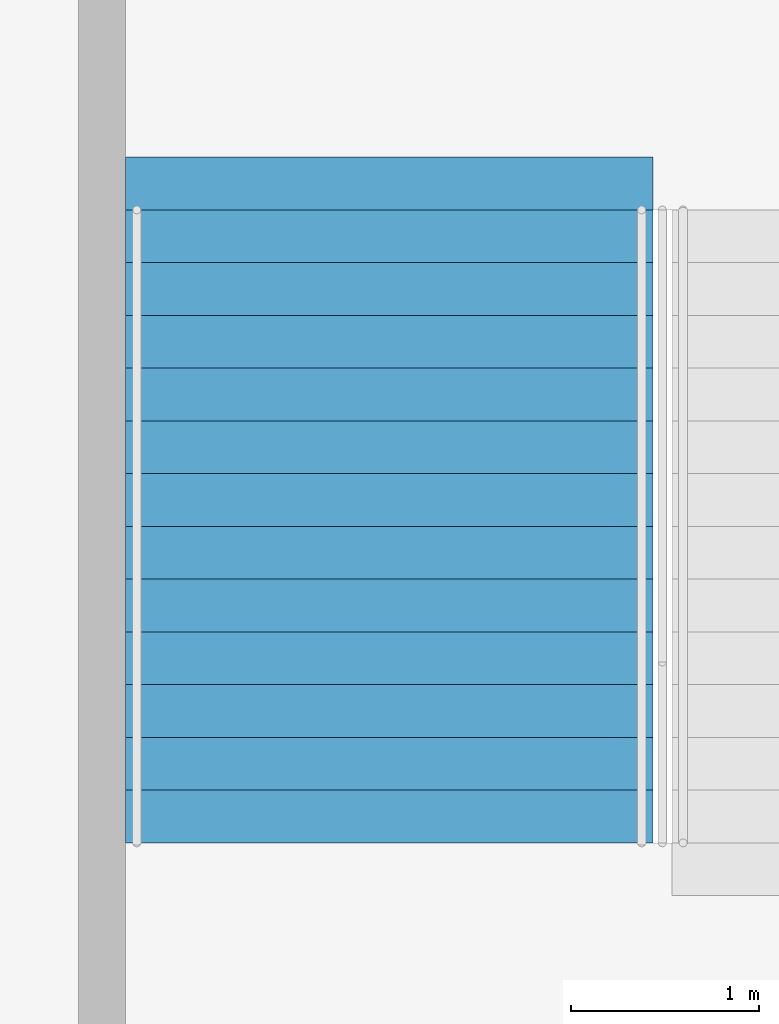
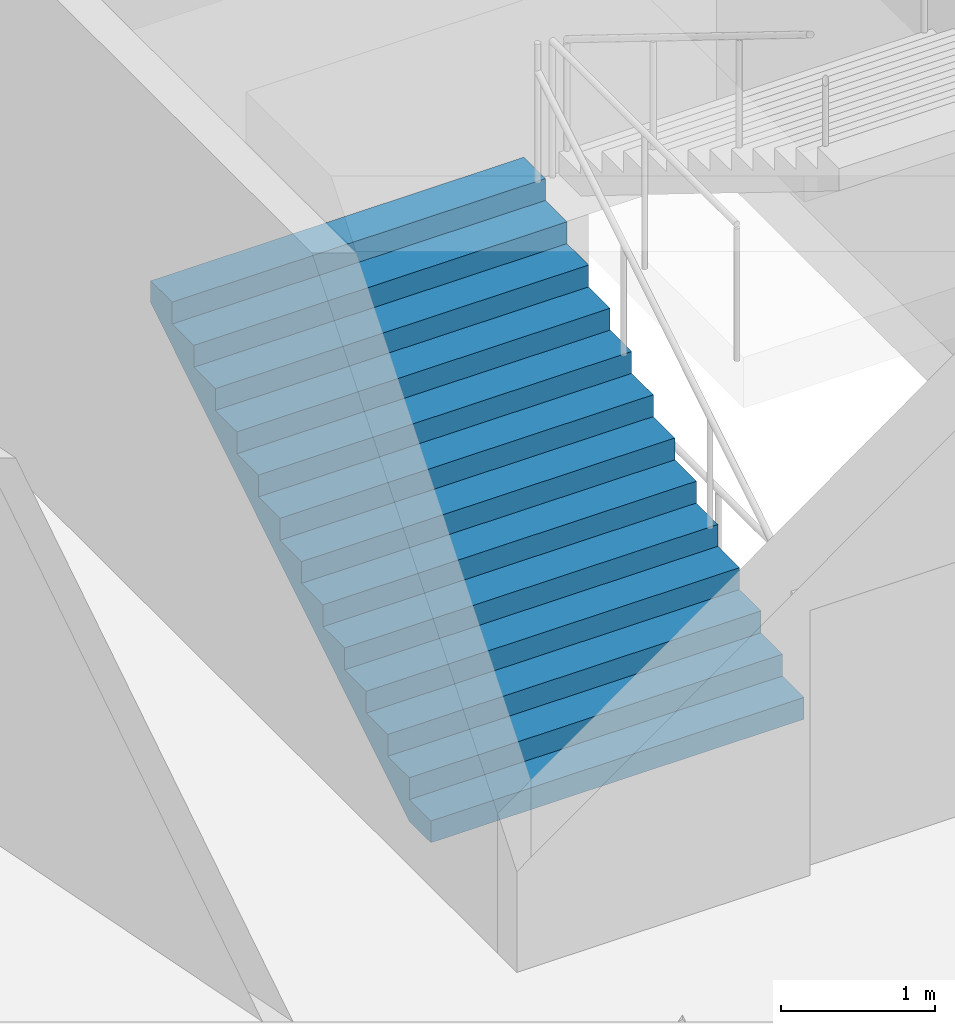
# One storey, part 162 of 199: 1 stair flight, 1 element without a shape of its own.
"""IFC4 building model written with IfcOpenShell, lengths in metres."""

from ifc_helpers import new_model, si_unit, direction, frame, origin, place, context, subcontext, project, spatial, faceted_brep, material, type_object, element, aggregate, save


model = new_model("IFC4")

# Units and contexts
model_context = context("Model", 3, precision=1e-05, world=origin(), true_north=direction((0.0, 1.0)))
body_context = subcontext(model_context, "Body", "Model", "MODEL_VIEW")
ifc_project = project(units=[si_unit("LENGTHUNIT", "METRE"), si_unit("AREAUNIT", "SQUARE_METRE"), si_unit("VOLUMEUNIT", "CUBIC_METRE"), si_unit("PLANEANGLEUNIT", "RADIAN"), si_unit("MASSUNIT", "GRAM", prefix="KILO")], contexts=[model_context])

# Site, building, storey
site_placement = place(None, origin())
site = spatial("IfcSite", under=ifc_project, at=site_placement, CompositionType="ELEMENT")
building_placement = place(site_placement, origin())
building = spatial("IfcBuilding", under=site, at=building_placement, Name="Ogive Plaza Stadium", CompositionType="ELEMENT")
storey_placement = place(building_placement, frame((0.0, 0.0, 4.5)))
storey = spatial("IfcBuildingStorey", under=building, at=storey_placement, Name="L01", CompositionType="ELEMENT", Elevation=4.5)

# Stair, stair flight
ifc_material_1 = material(Name="Concrete C40/50", Category="concrete")
stair_type = type_object("IfcStairType", Name="Exit stair", PredefinedType="STRAIGHT_RUN_STAIR", material=ifc_material_1)
stair_placement = place(storey_placement, origin())
stair = element("IfcStair", 1, at=stair_placement, inside=storey, type_object=stair_type, Name="Exit stair ST32B L01 to L02", PredefinedType="STRAIGHT_RUN_STAIR")
ifc_material_2 = material(Name="Concrete C40/50", Category="concrete")
stair_flight_type = type_object("IfcStairFlightType", Name="Exit stair flight", PredefinedType="STRAIGHT", material=ifc_material_2)
stair_flight_placement = place(storey_placement, frame((-38.425048828125, 94.85009765625, 0.0), z_axis=(0.0, 0.0, 1.0), x_axis=(0.0, 1.0, 0.0)))
stair_flight = element("IfcStairFlight", 2, at=stair_flight_placement, type_object=stair_flight_type, Name="ST32B flight 1", NumberOfRisers=13, NumberOfTreads=12, PredefinedType="STRAIGHT", RiserHeight=0.173076923, TreadLength=0.28, context=body_context, shape_type="Brep", body=[
    faceted_brep([(0.28515625, -1.39990234375, 0.0), (3.639892578125, -1.39990234375, 2.07373046875), (3.639892578125, -1.39990234375, 2.25), (3.360107421875, -1.39990234375, 2.25), (3.360107421875, -1.39990234375, 2.076904296875), (3.080078125, -1.39990234375, 2.076904296875), (3.080078125, -1.39990234375, 1.90380859375), (2.800048828125, -1.39990234375, 1.90380859375), (2.800048828125, -1.39990234375, 1.730712890625), (2.52001953125, -1.39990234375, 1.730712890625), (2.52001953125, -1.39990234375, 1.5576171875), (2.239990234375, -1.39990234375, 1.5576171875), (2.239990234375, -1.39990234375, 1.384521484375), (1.9599609375, -1.39990234375, 1.384521484375), (1.9599609375, -1.39990234375, 1.21142578125), (1.679931640625, -1.39990234375, 1.21142578125), (1.679931640625, -1.39990234375, 1.03857421875), (1.39990234375, -1.39990234375, 1.03857421875), (1.39990234375, -1.39990234375, 0.865478515625), (1.1201171875, -1.39990234375, 0.865478515625), (1.1201171875, -1.39990234375, 0.6923828125), (0.840087890625, -1.39990234375, 0.6923828125), (0.840087890625, -1.39990234375, 0.519287109375), (0.56005859375, -1.39990234375, 0.519287109375), (0.56005859375, -1.39990234375, 0.34619140625), (0.280029296875, -1.39990234375, 0.34619140625), (0.280029296875, -1.39990234375, 0.173095703125), (0.0, -1.39990234375, 0.173095703125), (0.0, -1.39990234375, 0.0), (0.0, 1.39990234375, 0.0), (0.0, 1.39990234375, 0.173095703125), (0.280029296875, 1.39990234375, 0.173095703125), (0.280029296875, 1.39990234375, 0.34619140625), (0.56005859375, 1.39990234375, 0.34619140625), (0.56005859375, 1.39990234375, 0.519287109375), (0.840087890625, 1.39990234375, 0.519287109375), (0.840087890625, 1.39990234375, 0.6923828125), (1.1201171875, 1.39990234375, 0.6923828125), (1.1201171875, 1.39990234375, 0.865478515625), (1.39990234375, 1.39990234375, 0.865478515625), (1.39990234375, 1.39990234375, 1.03857421875), (1.679931640625, 1.39990234375, 1.03857421875), (1.679931640625, 1.39990234375, 1.21142578125), (1.9599609375, 1.39990234375, 1.21142578125), (1.9599609375, 1.39990234375, 1.384521484375), (2.239990234375, 1.39990234375, 1.384521484375), (2.239990234375, 1.39990234375, 1.5576171875), (2.52001953125, 1.39990234375, 1.5576171875), (2.52001953125, 1.39990234375, 1.730712890625), (2.800048828125, 1.39990234375, 1.730712890625), (2.800048828125, 1.39990234375, 1.90380859375), (3.080078125, 1.39990234375, 1.90380859375), (3.080078125, 1.39990234375, 2.076904296875), (3.360107421875, 1.39990234375, 2.076904296875), (3.360107421875, 1.39990234375, 2.25), (3.639892578125, 1.39990234375, 2.25), (3.639892578125, 1.39990234375, 2.07373046875), (0.28515625, 1.39990234375, 0.0), (0.28515625, -1.0888671875, 0.0), (3.639892578125, -1.0888671875, 2.07373046875), (0.28515625, -0.77783203125, 0.0), (3.639892578125, -0.77783203125, 2.07373046875), (0.28515625, -0.466796875, 0.0), (3.639892578125, -0.466796875, 2.07373046875), (0.28515625, -0.155517578125, 0.0), (3.639892578125, -0.155517578125, 2.07373046875), (0.28515625, 0.155517578125, 0.0), (3.639892578125, 0.155517578125, 2.07373046875), (0.28515625, 0.466796875, 0.0), (3.639892578125, 0.466796875, 2.07373046875), (0.28515625, 0.77783203125, 0.0), (3.639892578125, 0.77783203125, 2.07373046875), (0.28515625, 1.0888671875, 0.0), (3.639892578125, 1.0888671875, 2.07373046875), (3.639892578125, -1.0888671875, 2.25), (3.639892578125, -0.77783203125, 2.25), (3.639892578125, -0.466796875, 2.25), (3.639892578125, -0.155517578125, 2.25), (3.639892578125, 0.155517578125, 2.25), (3.639892578125, 0.466796875, 2.25), (3.639892578125, 0.77783203125, 2.25), (3.639892578125, 1.0888671875, 2.25), (3.360107421875, -1.0888671875, 2.25), (3.360107421875, -0.77783203125, 2.25), (3.360107421875, -0.466796875, 2.25), (3.360107421875, -0.155517578125, 2.25), (3.360107421875, 0.155517578125, 2.25), (3.360107421875, 0.466796875, 2.25), (3.360107421875, 0.77783203125, 2.25), (3.360107421875, 1.0888671875, 2.25), (3.360107421875, -1.0888671875, 2.076904296875), (3.360107421875, -0.77783203125, 2.076904296875), (3.360107421875, -0.466796875, 2.076904296875), (3.360107421875, -0.155517578125, 2.076904296875), (3.360107421875, 0.155517578125, 2.076904296875), (3.360107421875, 0.466796875, 2.076904296875), (3.360107421875, 0.77783203125, 2.076904296875), (3.360107421875, 1.0888671875, 2.076904296875), (3.080078125, -1.0888671875, 2.076904296875), (3.080078125, -0.77783203125, 2.076904296875), (3.080078125, -0.466796875, 2.076904296875), (3.080078125, -0.155517578125, 2.076904296875), (3.080078125, 0.155517578125, 2.076904296875), (3.080078125, 0.466796875, 2.076904296875), (3.080078125, 0.77783203125, 2.076904296875), (3.080078125, 1.0888671875, 2.076904296875), (3.080078125, -1.0888671875, 1.90380859375), (3.080078125, -0.77783203125, 1.90380859375), (3.080078125, -0.466796875, 1.90380859375), (3.080078125, -0.155517578125, 1.90380859375), (3.080078125, 0.155517578125, 1.90380859375), (3.080078125, 0.466796875, 1.90380859375), (3.080078125, 0.77783203125, 1.90380859375), (3.080078125, 1.0888671875, 1.90380859375), (2.800048828125, -1.0888671875, 1.90380859375), (2.800048828125, -0.77783203125, 1.90380859375), (2.800048828125, -0.466796875, 1.90380859375), (2.800048828125, -0.155517578125, 1.90380859375), (2.800048828125, 0.155517578125, 1.90380859375), (2.800048828125, 0.466796875, 1.90380859375), (2.800048828125, 0.77783203125, 1.90380859375), (2.800048828125, 1.0888671875, 1.90380859375), (2.800048828125, -1.0888671875, 1.730712890625), (2.800048828125, -0.77783203125, 1.730712890625), (2.800048828125, -0.466796875, 1.730712890625), (2.800048828125, -0.155517578125, 1.730712890625), (2.800048828125, 0.155517578125, 1.730712890625), (2.800048828125, 0.466796875, 1.730712890625), (2.800048828125, 0.77783203125, 1.730712890625), (2.800048828125, 1.0888671875, 1.730712890625), (2.52001953125, -1.0888671875, 1.730712890625), (2.52001953125, -0.77783203125, 1.730712890625), (2.52001953125, -0.466796875, 1.730712890625), (2.52001953125, -0.155517578125, 1.730712890625), (2.52001953125, 0.155517578125, 1.730712890625), (2.52001953125, 0.466796875, 1.730712890625), (2.52001953125, 0.77783203125, 1.730712890625), (2.52001953125, 1.0888671875, 1.730712890625), (2.52001953125, -1.0888671875, 1.5576171875), (2.52001953125, -0.77783203125, 1.5576171875), (2.52001953125, -0.466796875, 1.5576171875), (2.52001953125, -0.155517578125, 1.5576171875), (2.52001953125, 0.155517578125, 1.5576171875), (2.52001953125, 0.466796875, 1.5576171875), (2.52001953125, 0.77783203125, 1.5576171875), (2.52001953125, 1.0888671875, 1.5576171875), (2.239990234375, -1.0888671875, 1.5576171875), (2.239990234375, -0.77783203125, 1.5576171875), (2.239990234375, -0.466796875, 1.5576171875), (2.239990234375, -0.155517578125, 1.5576171875), (2.239990234375, 0.155517578125, 1.5576171875), (2.239990234375, 0.466796875, 1.5576171875), (2.239990234375, 0.77783203125, 1.5576171875), (2.239990234375, 1.0888671875, 1.5576171875), (2.239990234375, -1.0888671875, 1.384521484375), (2.239990234375, -0.77783203125, 1.384521484375), (2.239990234375, -0.466796875, 1.384521484375), (2.239990234375, -0.155517578125, 1.384521484375), (2.239990234375, 0.155517578125, 1.384521484375), (2.239990234375, 0.466796875, 1.384521484375), (2.239990234375, 0.77783203125, 1.384521484375), (2.239990234375, 1.0888671875, 1.384521484375), (1.9599609375, -1.0888671875, 1.384521484375), (1.9599609375, -0.77783203125, 1.384521484375), (1.9599609375, -0.466796875, 1.384521484375), (1.9599609375, -0.155517578125, 1.384521484375), (1.9599609375, 0.155517578125, 1.384521484375), (1.9599609375, 0.466796875, 1.384521484375), (1.9599609375, 0.77783203125, 1.384521484375), (1.9599609375, 1.0888671875, 1.384521484375), (1.9599609375, -1.0888671875, 1.21142578125), (1.9599609375, -0.77783203125, 1.21142578125), (1.9599609375, -0.466796875, 1.21142578125), (1.9599609375, -0.155517578125, 1.21142578125), (1.9599609375, 0.155517578125, 1.21142578125), (1.9599609375, 0.466796875, 1.21142578125), (1.9599609375, 0.77783203125, 1.21142578125), (1.9599609375, 1.0888671875, 1.21142578125), (1.679931640625, -1.0888671875, 1.21142578125), (1.679931640625, -0.77783203125, 1.21142578125), (1.679931640625, -0.466796875, 1.21142578125), (1.679931640625, -0.155517578125, 1.21142578125), (1.679931640625, 0.155517578125, 1.21142578125), (1.679931640625, 0.466796875, 1.21142578125), (1.679931640625, 0.77783203125, 1.21142578125), (1.679931640625, 1.0888671875, 1.21142578125), (1.679931640625, -1.0888671875, 1.03857421875), (1.679931640625, -0.77783203125, 1.03857421875), (1.679931640625, -0.466796875, 1.03857421875), (1.679931640625, -0.155517578125, 1.03857421875), (1.679931640625, 0.155517578125, 1.03857421875), (1.679931640625, 0.466796875, 1.03857421875), (1.679931640625, 0.77783203125, 1.03857421875), (1.679931640625, 1.0888671875, 1.03857421875), (1.39990234375, -1.0888671875, 1.03857421875), (1.39990234375, -0.77783203125, 1.03857421875), (1.39990234375, -0.466796875, 1.03857421875), (1.39990234375, -0.155517578125, 1.03857421875), (1.39990234375, 0.155517578125, 1.03857421875), (1.39990234375, 0.466796875, 1.03857421875), (1.39990234375, 0.77783203125, 1.03857421875), (1.39990234375, 1.0888671875, 1.03857421875), (1.39990234375, -1.0888671875, 0.865478515625), (1.39990234375, -0.77783203125, 0.865478515625), (1.39990234375, -0.466796875, 0.865478515625), (1.39990234375, -0.155517578125, 0.865478515625), (1.39990234375, 0.155517578125, 0.865478515625), (1.39990234375, 0.466796875, 0.865478515625), (1.39990234375, 0.77783203125, 0.865478515625), (1.39990234375, 1.0888671875, 0.865478515625), (1.1201171875, -1.0888671875, 0.865478515625), (1.1201171875, -0.77783203125, 0.865478515625), (1.1201171875, -0.466796875, 0.865478515625), (1.1201171875, -0.155517578125, 0.865478515625), (1.1201171875, 0.155517578125, 0.865478515625), (1.1201171875, 0.466796875, 0.865478515625), (1.1201171875, 0.77783203125, 0.865478515625), (1.1201171875, 1.0888671875, 0.865478515625), (1.1201171875, -1.0888671875, 0.6923828125), (1.1201171875, -0.77783203125, 0.6923828125), (1.1201171875, -0.466796875, 0.6923828125), (1.1201171875, -0.155517578125, 0.6923828125), (1.1201171875, 0.155517578125, 0.6923828125), (1.1201171875, 0.466796875, 0.6923828125), (1.1201171875, 0.77783203125, 0.6923828125), (1.1201171875, 1.0888671875, 0.6923828125), (0.840087890625, -1.0888671875, 0.6923828125), (0.840087890625, -0.77783203125, 0.6923828125), (0.840087890625, -0.466796875, 0.6923828125), (0.840087890625, -0.155517578125, 0.6923828125), (0.840087890625, 0.155517578125, 0.6923828125), (0.840087890625, 0.466796875, 0.6923828125), (0.840087890625, 0.77783203125, 0.6923828125), (0.840087890625, 1.0888671875, 0.6923828125), (0.840087890625, -1.0888671875, 0.519287109375), (0.840087890625, -0.77783203125, 0.519287109375), (0.840087890625, -0.466796875, 0.519287109375), (0.840087890625, -0.155517578125, 0.519287109375), (0.840087890625, 0.155517578125, 0.519287109375), (0.840087890625, 0.466796875, 0.519287109375), (0.840087890625, 0.77783203125, 0.519287109375), (0.840087890625, 1.0888671875, 0.519287109375), (0.56005859375, -1.0888671875, 0.519287109375), (0.56005859375, -0.77783203125, 0.519287109375), (0.56005859375, -0.466796875, 0.519287109375), (0.56005859375, -0.155517578125, 0.519287109375), (0.56005859375, 0.155517578125, 0.519287109375), (0.56005859375, 0.466796875, 0.519287109375), (0.56005859375, 0.77783203125, 0.519287109375), (0.56005859375, 1.0888671875, 0.519287109375), (0.56005859375, -1.0888671875, 0.34619140625), (0.56005859375, -0.77783203125, 0.34619140625), (0.56005859375, -0.466796875, 0.34619140625), (0.56005859375, -0.155517578125, 0.34619140625), (0.56005859375, 0.155517578125, 0.34619140625), (0.56005859375, 0.466796875, 0.34619140625), (0.56005859375, 0.77783203125, 0.34619140625), (0.56005859375, 1.0888671875, 0.34619140625), (0.280029296875, -1.0888671875, 0.34619140625), (0.280029296875, -0.77783203125, 0.34619140625), (0.280029296875, -0.466796875, 0.34619140625), (0.280029296875, -0.155517578125, 0.34619140625), (0.280029296875, 0.155517578125, 0.34619140625), (0.280029296875, 0.466796875, 0.34619140625), (0.280029296875, 0.77783203125, 0.34619140625), (0.280029296875, 1.0888671875, 0.34619140625), (0.280029296875, -1.0888671875, 0.173095703125), (0.280029296875, -0.77783203125, 0.173095703125), (0.280029296875, -0.466796875, 0.173095703125), (0.280029296875, -0.155517578125, 0.173095703125), (0.280029296875, 0.155517578125, 0.173095703125), (0.280029296875, 0.466796875, 0.173095703125), (0.280029296875, 0.77783203125, 0.173095703125), (0.280029296875, 1.0888671875, 0.173095703125), (0.0, -1.0888671875, 0.173095703125), (0.0, -0.77783203125, 0.173095703125), (0.0, -0.466796875, 0.173095703125), (0.0, -0.155517578125, 0.173095703125), (0.0, 0.155517578125, 0.173095703125), (0.0, 0.466796875, 0.173095703125), (0.0, 0.77783203125, 0.173095703125), (0.0, 1.0888671875, 0.173095703125), (0.0, -1.0888671875, 0.0), (0.0, -0.77783203125, 0.0), (0.0, -0.466796875, 0.0), (0.0, -0.155517578125, 0.0), (0.0, 0.155517578125, 0.0), (0.0, 0.466796875, 0.0), (0.0, 0.77783203125, 0.0), (0.0, 1.0888671875, 0.0)], [[[0, 1, 2, 3, 4, 5, 6, 7, 8, 9, 10, 11, 12, 13, 14, 15, 16, 17, 18, 19, 20, 21, 22, 23, 24, 25, 26, 27, 28]], [[29, 30, 31, 32, 33, 34, 35, 36, 37, 38, 39, 40, 41, 42, 43, 44, 45, 46, 47, 48, 49, 50, 51, 52, 53, 54, 55, 56, 57]], [[0, 58, 59, 1]], [[58, 60, 61, 59]], [[60, 62, 63, 61]], [[62, 64, 65, 63]], [[64, 66, 67, 65]], [[66, 68, 69, 67]], [[68, 70, 71, 69]], [[70, 72, 73, 71]], [[72, 57, 56, 73]], [[1, 59, 74, 2]], [[59, 61, 75, 74]], [[61, 63, 76, 75]], [[63, 65, 77, 76]], [[65, 67, 78, 77]], [[67, 69, 79, 78]], [[69, 71, 80, 79]], [[71, 73, 81, 80]], [[73, 56, 55, 81]], [[2, 74, 82, 3]], [[74, 75, 83, 82]], [[75, 76, 84, 83]], [[76, 77, 85, 84]], [[77, 78, 86, 85]], [[78, 79, 87, 86]], [[79, 80, 88, 87]], [[80, 81, 89, 88]], [[81, 55, 54, 89]], [[3, 82, 90, 4]], [[82, 83, 91, 90]], [[83, 84, 92, 91]], [[84, 85, 93, 92]], [[85, 86, 94, 93]], [[86, 87, 95, 94]], [[87, 88, 96, 95]], [[88, 89, 97, 96]], [[89, 54, 53, 97]], [[4, 90, 98, 5]], [[90, 91, 99, 98]], [[91, 92, 100, 99]], [[92, 93, 101, 100]], [[93, 94, 102, 101]], [[94, 95, 103, 102]], [[95, 96, 104, 103]], [[96, 97, 105, 104]], [[97, 53, 52, 105]], [[5, 98, 106, 6]], [[98, 99, 107, 106]], [[99, 100, 108, 107]], [[100, 101, 109, 108]], [[101, 102, 110, 109]], [[102, 103, 111, 110]], [[103, 104, 112, 111]], [[104, 105, 113, 112]], [[105, 52, 51, 113]], [[6, 106, 114, 7]], [[106, 107, 115, 114]], [[107, 108, 116, 115]], [[108, 109, 117, 116]], [[109, 110, 118, 117]], [[110, 111, 119, 118]], [[111, 112, 120, 119]], [[112, 113, 121, 120]], [[113, 51, 50, 121]], [[7, 114, 122, 8]], [[114, 115, 123, 122]], [[115, 116, 124, 123]], [[116, 117, 125, 124]], [[117, 118, 126, 125]], [[118, 119, 127, 126]], [[119, 120, 128, 127]], [[120, 121, 129, 128]], [[121, 50, 49, 129]], [[8, 122, 130, 9]], [[122, 123, 131, 130]], [[123, 124, 132, 131]], [[124, 125, 133, 132]], [[125, 126, 134, 133]], [[126, 127, 135, 134]], [[127, 128, 136, 135]], [[128, 129, 137, 136]], [[129, 49, 48, 137]], [[9, 130, 138, 10]], [[130, 131, 139, 138]], [[131, 132, 140, 139]], [[132, 133, 141, 140]], [[133, 134, 142, 141]], [[134, 135, 143, 142]], [[135, 136, 144, 143]], [[136, 137, 145, 144]], [[137, 48, 47, 145]], [[10, 138, 146, 11]], [[138, 139, 147, 146]], [[139, 140, 148, 147]], [[140, 141, 149, 148]], [[141, 142, 150, 149]], [[142, 143, 151, 150]], [[143, 144, 152, 151]], [[144, 145, 153, 152]], [[145, 47, 46, 153]], [[11, 146, 154, 12]], [[146, 147, 155, 154]], [[147, 148, 156, 155]], [[148, 149, 157, 156]], [[149, 150, 158, 157]], [[150, 151, 159, 158]], [[151, 152, 160, 159]], [[152, 153, 161, 160]], [[153, 46, 45, 161]], [[12, 154, 162, 13]], [[154, 155, 163, 162]], [[155, 156, 164, 163]], [[156, 157, 165, 164]], [[157, 158, 166, 165]], [[158, 159, 167, 166]], [[159, 160, 168, 167]], [[160, 161, 169, 168]], [[161, 45, 44, 169]], [[13, 162, 170, 14]], [[162, 163, 171, 170]], [[163, 164, 172, 171]], [[164, 165, 173, 172]], [[165, 166, 174, 173]], [[166, 167, 175, 174]], [[167, 168, 176, 175]], [[168, 169, 177, 176]], [[169, 44, 43, 177]], [[14, 170, 178, 15]], [[170, 171, 179, 178]], [[171, 172, 180, 179]], [[172, 173, 181, 180]], [[173, 174, 182, 181]], [[174, 175, 183, 182]], [[175, 176, 184, 183]], [[176, 177, 185, 184]], [[177, 43, 42, 185]], [[15, 178, 186, 16]], [[178, 179, 187, 186]], [[179, 180, 188, 187]], [[180, 181, 189, 188]], [[181, 182, 190, 189]], [[182, 183, 191, 190]], [[183, 184, 192, 191]], [[184, 185, 193, 192]], [[185, 42, 41, 193]], [[16, 186, 194, 17]], [[186, 187, 195, 194]], [[187, 188, 196, 195]], [[188, 189, 197, 196]], [[189, 190, 198, 197]], [[190, 191, 199, 198]], [[191, 192, 200, 199]], [[192, 193, 201, 200]], [[193, 41, 40, 201]], [[17, 194, 202, 18]], [[194, 195, 203, 202]], [[195, 196, 204, 203]], [[196, 197, 205, 204]], [[197, 198, 206, 205]], [[198, 199, 207, 206]], [[199, 200, 208, 207]], [[200, 201, 209, 208]], [[201, 40, 39, 209]], [[18, 202, 210, 19]], [[202, 203, 211, 210]], [[203, 204, 212, 211]], [[204, 205, 213, 212]], [[205, 206, 214, 213]], [[206, 207, 215, 214]], [[207, 208, 216, 215]], [[208, 209, 217, 216]], [[209, 39, 38, 217]], [[19, 210, 218, 20]], [[210, 211, 219, 218]], [[211, 212, 220, 219]], [[212, 213, 221, 220]], [[213, 214, 222, 221]], [[214, 215, 223, 222]], [[215, 216, 224, 223]], [[216, 217, 225, 224]], [[217, 38, 37, 225]], [[20, 218, 226, 21]], [[218, 219, 227, 226]], [[219, 220, 228, 227]], [[220, 221, 229, 228]], [[221, 222, 230, 229]], [[222, 223, 231, 230]], [[223, 224, 232, 231]], [[224, 225, 233, 232]], [[225, 37, 36, 233]], [[21, 226, 234, 22]], [[226, 227, 235, 234]], [[227, 228, 236, 235]], [[228, 229, 237, 236]], [[229, 230, 238, 237]], [[230, 231, 239, 238]], [[231, 232, 240, 239]], [[232, 233, 241, 240]], [[233, 36, 35, 241]], [[22, 234, 242, 23]], [[234, 235, 243, 242]], [[235, 236, 244, 243]], [[236, 237, 245, 244]], [[237, 238, 246, 245]], [[238, 239, 247, 246]], [[239, 240, 248, 247]], [[240, 241, 249, 248]], [[241, 35, 34, 249]], [[23, 242, 250, 24]], [[242, 243, 251, 250]], [[243, 244, 252, 251]], [[244, 245, 253, 252]], [[245, 246, 254, 253]], [[246, 247, 255, 254]], [[247, 248, 256, 255]], [[248, 249, 257, 256]], [[249, 34, 33, 257]], [[24, 250, 258, 25]], [[250, 251, 259, 258]], [[251, 252, 260, 259]], [[252, 253, 261, 260]], [[253, 254, 262, 261]], [[254, 255, 263, 262]], [[255, 256, 264, 263]], [[256, 257, 265, 264]], [[257, 33, 32, 265]], [[25, 258, 266, 26]], [[258, 259, 267, 266]], [[259, 260, 268, 267]], [[260, 261, 269, 268]], [[261, 262, 270, 269]], [[262, 263, 271, 270]], [[263, 264, 272, 271]], [[264, 265, 273, 272]], [[265, 32, 31, 273]], [[26, 266, 274, 27]], [[266, 267, 275, 274]], [[267, 268, 276, 275]], [[268, 269, 277, 276]], [[269, 270, 278, 277]], [[270, 271, 279, 278]], [[271, 272, 280, 279]], [[272, 273, 281, 280]], [[273, 31, 30, 281]], [[27, 274, 282, 28]], [[274, 275, 283, 282]], [[275, 276, 284, 283]], [[276, 277, 285, 284]], [[277, 278, 286, 285]], [[278, 279, 287, 286]], [[279, 280, 288, 287]], [[280, 281, 289, 288]], [[281, 30, 29, 289]], [[28, 282, 58, 0]], [[282, 283, 60, 58]], [[283, 284, 62, 60]], [[284, 285, 64, 62]], [[285, 286, 66, 64]], [[286, 287, 68, 66]], [[287, 288, 70, 68]], [[288, 289, 72, 70]], [[289, 29, 57, 72]]]),
])
aggregate(stair, [stair_flight])

save(model, "model.ifc")
